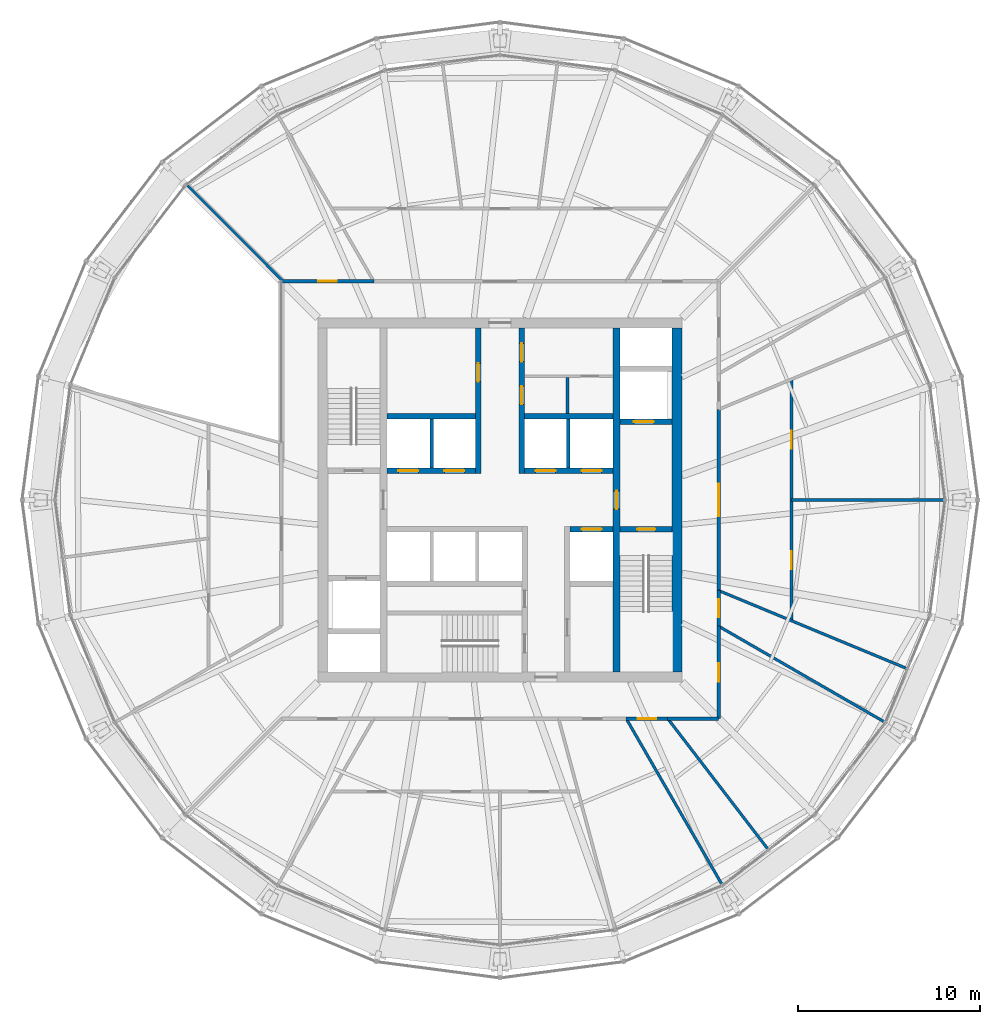
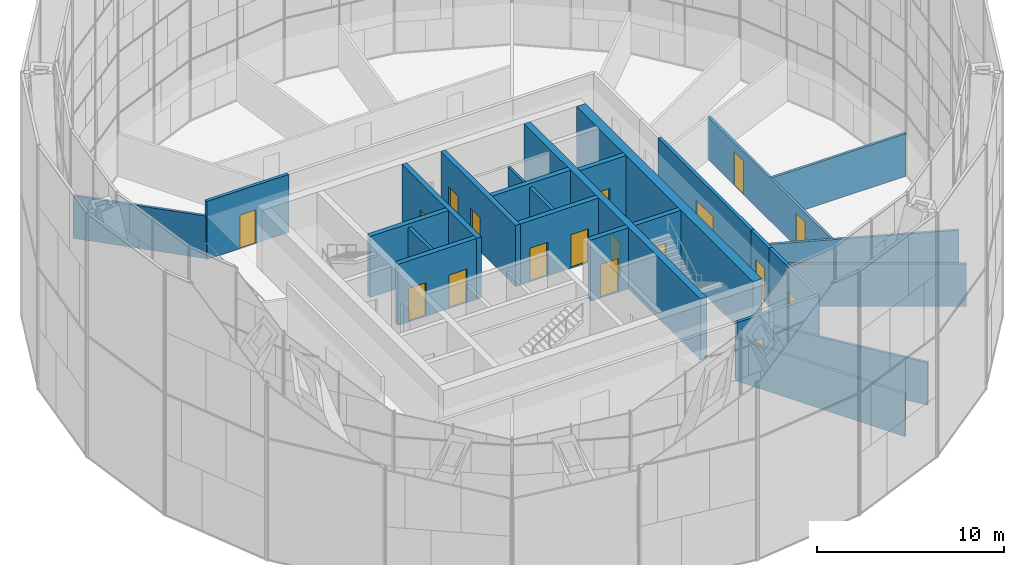
# One storey, part 26 of 28: 27 walls, 18 doors, 18 openings.
"""IFC4 building model written with IfcOpenShell, lengths in metres."""

from ifc_helpers import new_model, si_unit, direction, frame, frame_2d, origin, place, context, subcontext, project, spatial, rectangle, extrude, material, layer, layer_set, type_object, element, fill, save


model = new_model("IFC4")

# Units and contexts
model_context = context("Model", 3, precision=1e-05, world=origin(), true_north=direction((0.0, 1.0)))
body_context = subcontext(model_context, "Body", "Model", "MODEL_VIEW")
ifc_project = project(units=[si_unit("LENGTHUNIT", "METRE"), si_unit("AREAUNIT", "SQUARE_METRE"), si_unit("VOLUMEUNIT", "CUBIC_METRE"), si_unit("PLANEANGLEUNIT", "RADIAN"), si_unit("MASSUNIT", "GRAM", prefix="KILO")], contexts=[model_context])

# Site, building, storey
site_placement = place(None, origin())
site = spatial("IfcSite", under=ifc_project, at=site_placement, CompositionType="ELEMENT")
building_placement = place(site_placement, origin())
building = spatial("IfcBuilding", under=site, at=building_placement, Name="Golbaran Civic Tower", CompositionType="ELEMENT")
storey_placement = place(building_placement, frame((0.0, 0.0, 134.0)))
storey = spatial("IfcBuildingStorey", under=building, at=storey_placement, Name="L32", CompositionType="ELEMENT", Elevation=134.0)

# Wall
ifc_material_1 = material(Name="Concrete block", Category="concrete")
ifc_layer_1 = layer(ifc_material_1, 0.14990234375, Name="Concrete block")
ifc_layer_set_1 = layer_set([ifc_layer_1], Name="Concrete block")
wall_type_1 = type_object("IfcWallType", Name="BLOCKWORK PARTITION 150", PredefinedType="PARTITIONING", material=ifc_layer_set_1)
wall_1_placement = place(storey_placement, frame((3.699951171875, 4.75, 0.0), z_axis=(0.0, 0.0, 1.0), x_axis=(0.0, 1.0, 0.0)))
element("IfcWall", 1, at=wall_1_placement, inside=storey, type_object=wall_type_1, Name="Toilet block partition TN2 L32", PredefinedType="PARTITIONING", context=body_context, shape_type="SweptSolid", body=[
    extrude(rectangle(XDim=1.97509765625, YDim=0.14990234375, at=frame_2d((0.987548828125, 0.0))), origin(), (0.0, 0.0, 1.0), 3.75),
])

# Wall, opening, door
ifc_material_2 = material(Name="Concrete C50/60", Category="concrete")
ifc_layer_2 = layer(ifc_material_2, 0.39990234375, Name="Concrete C50/60")
ifc_layer_set_2 = layer_set([ifc_layer_2], Name="Concrete C50/60")
wall_type_2 = type_object("IfcWallType", Name="CORE WALL CONCRETE 400", PredefinedType="SOLIDWALL", material=ifc_layer_set_2)
wall_2_placement = place(storey_placement, frame((6.39990234375, 9.449951171875, 0.0), z_axis=(0.0, 0.0, 1.0), x_axis=(0.0, -1.0, 0.0)))
wall_2 = element("IfcWall", 2, at=wall_2_placement, inside=storey, type_object=wall_type_2, Name="Core wall IE L32", PredefinedType="SOLIDWALL", context=body_context, shape_type="SweptSolid", body=[
    extrude(rectangle(XDim=18.89990234375, YDim=0.39990234375, at=frame_2d((9.449951171875, 0.0))), origin(), (0.0, 0.0, 1.0), 4.0),
])
opening_1_placement = place(wall_2_placement, frame((8.949951171875, 0.0, 0.0)))
opening_1 = element("IfcOpeningElement", 3, at=opening_1_placement, cuts=wall_2, Name="Opening L32.FL2", PredefinedType="OPENING", context=body_context, shape_type="SweptSolid", body=[
    extrude(rectangle(XDim=1.0, YDim=2.199951171875, at=frame_2d((0.5, 1.10009765625))), frame((0.0, 0.2099609375, 0.0), z_axis=(0.0, -1.0, 0.0), x_axis=(1.0, 0.0, 0.0)), (0.0, 0.0, 1.0), 0.419921875),
])
ifc_material_3 = material(Name="Timber door set in steel frame", Category="steel")
door_type_1 = type_object("IfcDoorType", Name="STAIR DOOR 1000x2200", OperationType="SINGLE_SWING_LEFT", PredefinedType="DOOR", material=ifc_material_3)
door_1_placement = place(opening_1_placement, origin())
door_1 = element("IfcDoor", 4, at=door_1_placement, inside=storey, type_object=door_type_1, Name="Fire-fighting lobby FL2 door", OperationType="SINGLE_SWING_RIGHT", OverallHeight=2.199951171875, OverallWidth=1.0, PredefinedType="DOOR", context=body_context, shape_type="SweptSolid", body=[
    extrude(rectangle(XDim=1.0, YDim=2.199951171875, at=frame_2d((0.5, 1.10009765625))), frame((0.0, 0.02490234375, 0.0), z_axis=(0.0, -1.0, 0.0), x_axis=(1.0, 0.0, 0.0)), (0.0, 0.0, 1.0), 0.050048828125),
])
fill(opening_1, door_1)

# Wall
ifc_layer_3 = layer(ifc_material_2, 0.550048828125, Name="Concrete C50/60")
ifc_layer_set_3 = layer_set([ifc_layer_3], Name="Concrete C50/60")
wall_type_3 = type_object("IfcWallType", Name="CORE WALL CONCRETE 550", PredefinedType="SOLIDWALL", material=ifc_layer_set_3)
wall_3_placement = place(storey_placement, frame((9.72509765625, -9.449951171875, 0.0), z_axis=(0.0, 0.0, 1.0), x_axis=(0.0, 1.0, 0.0)))
element("IfcWall", 5, at=wall_3_placement, inside=storey, type_object=wall_type_3, Name="Core wall CE L32", PredefinedType="SOLIDWALL", context=body_context, shape_type="SweptSolid", body=[
    extrude(rectangle(XDim=18.89990234375, YDim=0.550048828125, at=frame_2d((9.449951171875, 0.0))), origin(), (0.0, 0.0, 1.0), 4.0),
])

# Wall, opening, door
ifc_material_4 = material(Name="Gypsum board on steel studs, fire-rated", Category="steel")
ifc_layer_4 = layer(ifc_material_4, 0.199951171875, Name="Gypsum board on steel studs, fire-rated")
ifc_layer_set_4 = layer_set([ifc_layer_4], Name="Gypsum board on steel studs, fire-rated")
wall_type_4 = type_object("IfcWallType", Name="CORRIDOR WALL 200", PredefinedType="PARTITIONING", material=ifc_layer_set_4)
wall_4_placement = place(storey_placement, frame((12.0, -6.92822265625, 0.0), z_axis=(0.0, 0.0, 1.0), x_axis=(0.0, 1.0, 0.0)))
wall_4 = element("IfcWall", 6, at=wall_4_placement, inside=storey, type_object=wall_type_4, Name="Corridor wall L32", PredefinedType="PARTITIONING", context=body_context, shape_type="SweptSolid", body=[
    extrude(rectangle(XDim=1.957763671875, YDim=0.199951171875, at=frame_2d((0.97900390625, 0.0))), origin(), (0.0, 0.0, 1.0), 3.800048828125),
])
opening_2_placement = place(wall_4_placement, frame((0.478759765625, 0.0, 0.0)))
opening_2 = element("IfcOpeningElement", 7, at=opening_2_placement, cuts=wall_4, Name="Opening L32.11", PredefinedType="OPENING", context=body_context, shape_type="SweptSolid", body=[
    extrude(rectangle(XDim=1.0, YDim=2.199951171875, at=frame_2d((0.5, 1.10009765625))), frame((0.0, 0.10986328125, 0.0), z_axis=(0.0, -1.0, 0.0), x_axis=(1.0, 0.0, 0.0)), (0.0, 0.0, 1.0), 0.219970703125),
])
door_type_2 = type_object("IfcDoorType", Name="OFFICE DOOR 1000x2200", OperationType="SINGLE_SWING_LEFT", PredefinedType="DOOR", material=ifc_material_3)
door_2_placement = place(opening_2_placement, origin())
door_2 = element("IfcDoor", 8, at=door_2_placement, inside=storey, type_object=door_type_2, Name="Meeting Room door L32", OperationType="SINGLE_SWING_LEFT", OverallHeight=2.199951171875, OverallWidth=1.0, PredefinedType="DOOR", context=body_context, shape_type="SweptSolid", body=[
    extrude(rectangle(XDim=1.0, YDim=2.199951171875, at=frame_2d((0.5, 1.10009765625))), frame((0.0, 0.02490234375, 0.0), z_axis=(0.0, -1.0, 0.0), x_axis=(1.0, 0.0, 0.0)), (0.0, 0.0, 1.0), 0.050048828125),
])
fill(opening_2, door_2)

wall_5_placement = place(storey_placement, frame((12.0, -4.970458984375, 0.0), z_axis=(0.0, 0.0, 1.0), x_axis=(0.0, 1.0, 0.0)))
wall_5 = element("IfcWall", 9, at=wall_5_placement, inside=storey, type_object=wall_type_4, Name="Corridor wall L32", PredefinedType="PARTITIONING", context=body_context, shape_type="SweptSolid", body=[
    extrude(rectangle(XDim=9.94091796875, YDim=0.199951171875, at=frame_2d((4.970458984375, 0.0))), origin(), (0.0, 0.0, 1.0), 3.800048828125),
])
opening_3_placement = place(wall_5_placement, frame((4.070556640625, 0.0, 0.0)))
opening_3 = element("IfcOpeningElement", 10, at=opening_3_placement, cuts=wall_5, Name="Opening L32.12", PredefinedType="OPENING", context=body_context, shape_type="SweptSolid", body=[
    extrude(rectangle(XDim=1.800048828125, YDim=2.199951171875, at=frame_2d((0.89990234375, 1.10009765625))), frame((0.0, 0.10986328125, 0.0), z_axis=(0.0, -1.0, 0.0), x_axis=(1.0, 0.0, 0.0)), (0.0, 0.0, 1.0), 0.219970703125),
])
door_type_3 = type_object("IfcDoorType", Name="OFFICE DOUBLE DOOR 1800x2200", OperationType="DOUBLE_DOOR_SINGLE_SWING", PredefinedType="DOOR", material=ifc_material_3)
door_3_placement = place(opening_3_placement, origin())
door_3 = element("IfcDoor", 11, at=door_3_placement, inside=storey, type_object=door_type_3, Name="Secretariat door L32", OperationType="DOUBLE_DOOR_SINGLE_SWING", OverallHeight=2.199951171875, OverallWidth=1.800048828125, PredefinedType="DOOR", context=body_context, shape_type="SweptSolid", body=[
    extrude(rectangle(XDim=1.800048828125, YDim=2.199951171875, at=frame_2d((0.89990234375, 1.10009765625))), frame((0.0, 0.02490234375, 0.0), z_axis=(0.0, -1.0, 0.0), x_axis=(1.0, 0.0, 0.0)), (0.0, 0.0, 1.0), 0.050048828125),
])
fill(opening_3, door_3)

wall_6_placement = place(storey_placement, frame((-6.92822265625, 12.0, 0.0), z_axis=(0.0, 0.0, 1.0), x_axis=(-1.0, 0.0, 0.0)))
wall_6 = element("IfcWall", 12, at=wall_6_placement, inside=storey, type_object=wall_type_4, Name="Corridor wall L32", PredefinedType="PARTITIONING", context=body_context, shape_type="SweptSolid", body=[
    extrude(rectangle(XDim=5.07177734375, YDim=0.199951171875, at=frame_2d((2.535888671875, 0.0))), origin(), (0.0, 0.0, 1.0), 3.800048828125),
])
opening_4_placement = place(wall_6_placement, frame((2.035888671875, 0.0, 0.0)))
opening_4 = element("IfcOpeningElement", 13, at=opening_4_placement, cuts=wall_6, Name="Opening L32.17", PredefinedType="OPENING", context=body_context, shape_type="SweptSolid", body=[
    extrude(rectangle(XDim=1.0, YDim=2.199951171875, at=frame_2d((0.5, 1.10009765625))), frame((0.0, 0.10986328125, 0.0), z_axis=(0.0, -1.0, 0.0), x_axis=(1.0, 0.0, 0.0)), (0.0, 0.0, 1.0), 0.219970703125),
])
door_4_placement = place(opening_4_placement, origin())
door_4 = element("IfcDoor", 14, at=door_4_placement, inside=storey, type_object=door_type_2, Name="Quiet Room door L32", OperationType="SINGLE_SWING_RIGHT", OverallHeight=2.199951171875, OverallWidth=1.0, PredefinedType="DOOR", context=body_context, shape_type="SweptSolid", body=[
    extrude(rectangle(XDim=1.0, YDim=2.199951171875, at=frame_2d((0.5, 1.10009765625))), frame((0.0, 0.02490234375, 0.0), z_axis=(0.0, -1.0, 0.0), x_axis=(1.0, 0.0, 0.0)), (0.0, 0.0, 1.0), 0.050048828125),
])
fill(opening_4, door_4)

wall_7_placement = place(storey_placement, frame((6.92822265625, -12.0, 0.0), z_axis=(0.0, 0.0, 1.0), x_axis=(1.0, 0.0, 0.0)))
wall_7 = element("IfcWall", 15, at=wall_7_placement, inside=storey, type_object=wall_type_4, Name="Corridor wall L32", PredefinedType="PARTITIONING", context=body_context, shape_type="SweptSolid", body=[
    extrude(rectangle(XDim=2.27978515625, YDim=0.199951171875, at=frame_2d((1.139892578125, 0.0))), origin(), (0.0, 0.0, 1.0), 3.800048828125),
])
opening_5_placement = place(wall_7_placement, frame((0.639892578125, 0.0, 0.0)))
opening_5 = element("IfcOpeningElement", 16, at=opening_5_placement, cuts=wall_7, Name="Opening L32.22", PredefinedType="OPENING", context=body_context, shape_type="SweptSolid", body=[
    extrude(rectangle(XDim=1.0, YDim=2.199951171875, at=frame_2d((0.5, 1.10009765625))), frame((0.0, 0.10986328125, 0.0), z_axis=(0.0, -1.0, 0.0), x_axis=(1.0, 0.0, 0.0)), (0.0, 0.0, 1.0), 0.219970703125),
])
door_5_placement = place(opening_5_placement, origin())
door_5 = element("IfcDoor", 17, at=door_5_placement, inside=storey, type_object=door_type_2, Name="Pantry door L32", OperationType="SINGLE_SWING_LEFT", OverallHeight=2.199951171875, OverallWidth=1.0, PredefinedType="DOOR", context=body_context, shape_type="SweptSolid", body=[
    extrude(rectangle(XDim=1.0, YDim=2.199951171875, at=frame_2d((0.5, 1.10009765625))), frame((0.0, 0.02490234375, 0.0), z_axis=(0.0, -1.0, 0.0), x_axis=(1.0, 0.0, 0.0)), (0.0, 0.0, 1.0), 0.050048828125),
])
fill(opening_5, door_5)

# Wall
wall_8_placement = place(storey_placement, frame((9.2080078125, -12.0, 0.0), z_axis=(0.0, 0.0, 1.0), x_axis=(1.0, 0.0, 0.0)))
element("IfcWall", 18, at=wall_8_placement, inside=storey, type_object=wall_type_4, Name="Corridor wall L32", PredefinedType="PARTITIONING", context=body_context, shape_type="SweptSolid", body=[
    extrude(rectangle(XDim=2.7919921875, YDim=0.199951171875, at=frame_2d((1.39599609375, 0.0))), origin(), (0.0, 0.0, 1.0), 3.800048828125),
])

# Wall, opening, door
wall_9_placement = place(storey_placement, frame((12.0, -12.0, 0.0), z_axis=(0.0, 0.0, 1.0), x_axis=(0.0, 1.0, 0.0)))
wall_9 = element("IfcWall", 19, at=wall_9_placement, inside=storey, type_object=wall_type_4, Name="Corridor wall L32", PredefinedType="PARTITIONING", context=body_context, shape_type="SweptSolid", body=[
    extrude(rectangle(XDim=5.07177734375, YDim=0.199951171875, at=frame_2d((2.535888671875, 0.0))), origin(), (0.0, 0.0, 1.0), 3.800048828125),
])
opening_6_placement = place(wall_9_placement, frame((2.035888671875, 0.0, 0.0)))
opening_6 = element("IfcOpeningElement", 20, at=opening_6_placement, cuts=wall_9, Name="Opening L32.23", PredefinedType="OPENING", context=body_context, shape_type="SweptSolid", body=[
    extrude(rectangle(XDim=1.0, YDim=2.199951171875, at=frame_2d((0.5, 1.10009765625))), frame((0.0, 0.10986328125, 0.0), z_axis=(0.0, -1.0, 0.0), x_axis=(1.0, 0.0, 0.0)), (0.0, 0.0, 1.0), 0.219970703125),
])
door_6_placement = place(opening_6_placement, origin())
door_6 = element("IfcDoor", 21, at=door_6_placement, inside=storey, type_object=door_type_2, Name="Prayer Room door L32", OperationType="SINGLE_SWING_LEFT", OverallHeight=2.199951171875, OverallWidth=1.0, PredefinedType="DOOR", context=body_context, shape_type="SweptSolid", body=[
    extrude(rectangle(XDim=1.0, YDim=2.199951171875, at=frame_2d((0.5, 1.10009765625))), frame((0.0, 0.02490234375, 0.0), z_axis=(0.0, -1.0, 0.0), x_axis=(1.0, 0.0, 0.0)), (0.0, 0.0, 1.0), 0.050048828125),
])
fill(opening_6, door_6)

# Walls
ifc_layer_5 = layer(ifc_material_1, 0.199951171875, Name="Concrete block")
ifc_layer_set_5 = layer_set([ifc_layer_5], Name="Concrete block")
wall_type_5 = type_object("IfcWallType", Name="LIFT SEPARATOR WALL 200", PredefinedType="SOLIDWALL", material=ifc_layer_set_5)
for number, where, z_axis, x_axis, name in (
    (22, (-3.75, 1.75, 0.0), (0.0, 0.0, 1.0), (0.0, 1.0, 0.0), "Core partition SNW L32"),
    (23, (3.75, 1.75, 0.0), (0.0, 0.0, 1.0), (0.0, 1.0, 0.0), "Core partition SNE L32"),
):
    element("IfcWall", number, at=place(storey_placement, frame(where, z_axis=z_axis, x_axis=x_axis)), inside=storey, type_object=wall_type_5, Name=name, PredefinedType="SOLIDWALL", context=body_context, shape_type="SweptSolid", body=[
        extrude(rectangle(XDim=2.699951171875, YDim=0.199951171875, at=frame_2d((1.35009765625, 0.0))), origin(), (0.0, 0.0, 1.0), 3.75),
    ])
ifc_material_5 = material(Name="Gypsum board on steel studs", Category="steel")
ifc_layer_6 = layer(ifc_material_5, 0.14990234375, Name="Gypsum board on steel studs")
ifc_layer_set_6 = layer_set([ifc_layer_6], Name="Gypsum board on steel studs")
wall_type_6 = type_object("IfcWallType", Name="OFFICE PARTITION 150", PredefinedType="PARTITIONING", material=ifc_layer_set_6)
wall_10_placement = place(storey_placement, frame((12.0, -6.92822265625, 0.0), z_axis=(0.0, 0.0, 1.0), x_axis=(0.866029212144, -0.49999340367, 0.0)))
element("IfcWall", 24, at=wall_10_placement, inside=storey, type_object=wall_type_6, Name="Partition 330 L32", PredefinedType="PARTITIONING", context=body_context, shape_type="SweptSolid", body=[
    extrude(rectangle(XDim=10.477783203125, YDim=0.14990234375, at=frame_2d((5.23876953125, 0.0))), origin(), (0.0, 0.0, 1.0), 2.7900390625),
])
wall_11_placement = place(storey_placement, frame((12.0, -4.970458984375, 0.0), z_axis=(0.0, 0.0, 1.0), x_axis=(0.923875229549, -0.382693820469, 0.0)))
element("IfcWall", 25, at=wall_11_placement, inside=storey, type_object=wall_type_6, Name="Partition 337.5 L32", PredefinedType="PARTITIONING", context=body_context, shape_type="SweptSolid", body=[
    extrude(rectangle(XDim=11.137451171875, YDim=0.14990234375, at=frame_2d((5.56884765625, 0.0))), origin(), (0.0, 0.0, 1.0), 2.7900390625),
])
wall_12_placement = place(storey_placement, frame((-11.947021484375, 12.052978515625, 0.0), z_axis=(0.0, 0.0, 1.0), x_axis=(-0.707090203644, 0.70712335834, 0.0)))
element("IfcWall", 26, at=wall_12_placement, inside=storey, type_object=wall_type_6, Name="Partition 135 L32", PredefinedType="PARTITIONING", context=body_context, shape_type="SweptSolid", body=[
    extrude(rectangle(XDim=7.36376953125, YDim=0.14990234375, at=frame_2d((3.681884765625, 0.0))), origin(), (0.0, 0.0, 1.0), 2.7900390625),
])
wall_13_placement = place(storey_placement, frame((6.92822265625, -12.0, 0.0), z_axis=(0.0, 0.0, 1.0), x_axis=(0.49999340367, -0.866029212144, 0.0)))
element("IfcWall", 27, at=wall_13_placement, inside=storey, type_object=wall_type_6, Name="Partition 300 L32", PredefinedType="PARTITIONING", context=body_context, shape_type="SweptSolid", body=[
    extrude(rectangle(XDim=10.477783203125, YDim=0.14990234375, at=frame_2d((5.23876953125, 0.0))), origin(), (0.0, 0.0, 1.0), 2.7900390625),
])
wall_14_placement = place(storey_placement, frame((9.2080078125, -12.0, 0.0), z_axis=(0.0, 0.0, 1.0), x_axis=(0.608761217002, -0.79335350297, 0.0)))
element("IfcWall", 28, at=wall_14_placement, inside=storey, type_object=wall_type_6, Name="Partition 307.5 L32", PredefinedType="PARTITIONING", context=body_context, shape_type="SweptSolid", body=[
    extrude(rectangle(XDim=9.000244140625, YDim=0.14990234375, at=frame_2d((4.5, 0.0))), origin(), (0.0, 0.0, 1.0), 2.7900390625),
])

# Wall, openings, doors
wall_15_placement = place(storey_placement, frame((16.0, -6.62744140625, 0.0), z_axis=(0.0, 0.0, 1.0), x_axis=(0.0, 1.0, 0.0)))
wall_15 = element("IfcWall", 29, at=wall_15_placement, inside=storey, type_object=wall_type_6, Name="Suite partition L32", PredefinedType="PARTITIONING", context=body_context, shape_type="SweptSolid", body=[
    extrude(rectangle(XDim=13.2548828125, YDim=0.14990234375, at=frame_2d((6.62744140625, 0.0))), origin(), (0.0, 0.0, 1.0), 2.7900390625),
])
opening_7_placement = place(wall_15_placement, frame((2.813720703125, 0.0, 0.0)))
opening_7 = element("IfcOpeningElement", 30, at=opening_7_placement, cuts=wall_15, Name="Opening L32.01", PredefinedType="OPENING", context=body_context, shape_type="SweptSolid", body=[
    extrude(rectangle(XDim=1.0, YDim=2.199951171875, at=frame_2d((0.5, 1.10009765625))), frame((0.0, 0.0849609375, 0.0), z_axis=(0.0, -1.0, 0.0), x_axis=(1.0, 0.0, 0.0)), (0.0, 0.0, 1.0), 0.169921875),
])
opening_8_placement = place(wall_15_placement, frame((9.441162109375, 0.0, 0.0)))
opening_8 = element("IfcOpeningElement", 31, at=opening_8_placement, cuts=wall_15, Name="Opening L32.02", PredefinedType="OPENING", context=body_context, shape_type="SweptSolid", body=[
    extrude(rectangle(XDim=1.0, YDim=2.199951171875, at=frame_2d((0.5, 1.10009765625))), frame((0.0, 0.0849609375, 0.0), z_axis=(0.0, -1.0, 0.0), x_axis=(1.0, 0.0, 0.0)), (0.0, 0.0, 1.0), 0.169921875),
])
door_7_placement = place(opening_7_placement, origin())
door_7 = element("IfcDoor", 32, at=door_7_placement, inside=storey, type_object=door_type_2, Name="Office door L32", OperationType="SINGLE_SWING_LEFT", OverallHeight=2.199951171875, OverallWidth=1.0, PredefinedType="DOOR", context=body_context, shape_type="SweptSolid", body=[
    extrude(rectangle(XDim=1.0, YDim=2.199951171875, at=frame_2d((0.5, 1.10009765625))), frame((0.0, 0.02490234375, 0.0), z_axis=(0.0, -1.0, 0.0), x_axis=(1.0, 0.0, 0.0)), (0.0, 0.0, 1.0), 0.050048828125),
])
fill(opening_7, door_7)
door_8_placement = place(opening_8_placement, origin())
door_8 = element("IfcDoor", 33, at=door_8_placement, inside=storey, type_object=door_type_2, Name="Office door L32", OperationType="SINGLE_SWING_RIGHT", OverallHeight=2.199951171875, OverallWidth=1.0, PredefinedType="DOOR", context=body_context, shape_type="SweptSolid", body=[
    extrude(rectangle(XDim=1.0, YDim=2.199951171875, at=frame_2d((0.5, 1.10009765625))), frame((0.0, 0.02490234375, 0.0), z_axis=(0.0, -1.0, 0.0), x_axis=(1.0, 0.0, 0.0)), (0.0, 0.0, 1.0), 0.050048828125),
])
fill(opening_8, door_8)

# Wall
wall_16_placement = place(storey_placement, frame((16.0, 0.0, 0.0), z_axis=(0.0, 0.0, 1.0), x_axis=(1.0, 0.0, 0.0)))
element("IfcWall", 34, at=wall_16_placement, inside=storey, type_object=wall_type_6, Name="Partition 0 L32", PredefinedType="PARTITIONING", context=body_context, shape_type="SweptSolid", body=[
    extrude(rectangle(XDim=8.334228515625, YDim=0.14990234375, at=frame_2d((4.1669921875, 0.0))), origin(), (0.0, 0.0, 1.0), 2.7900390625),
])

# Wall, openings, doors
ifc_layer_7 = layer(ifc_material_2, 0.300048828125, Name="Concrete C50/60")
ifc_layer_set_7 = layer_set([ifc_layer_7], Name="Concrete C50/60")
wall_type_7 = type_object("IfcWallType", Name="SHAFT WALL CONCRETE 300", PredefinedType="SOLIDWALL", material=ifc_layer_set_7)
wall_17_placement = place(storey_placement, frame((-6.199951171875, 1.60009765625, 0.0), z_axis=(0.0, 0.0, 1.0), x_axis=(1.0, 0.0, 0.0)))
wall_17 = element("IfcWall", 35, at=wall_17_placement, inside=storey, type_object=wall_type_7, Name="Core wall FNW L32", PredefinedType="SOLIDWALL", context=body_context, shape_type="SweptSolid", body=[
    extrude(rectangle(XDim=4.849853515625, YDim=0.300048828125, at=frame_2d((2.4248046875, 0.0))), origin(), (0.0, 0.0, 1.0), 4.0),
])
opening_9_placement = place(wall_17_placement, frame((0.625, 0.0, 0.0)))
opening_9 = element("IfcOpeningElement", 36, at=opening_9_placement, cuts=wall_17, Name="Opening L32.LD-Z1M", PredefinedType="OPENING", context=body_context, shape_type="SweptSolid", body=[
    extrude(rectangle(XDim=1.10009765625, YDim=2.199951171875, at=frame_2d((0.550048828125, 1.10009765625))), frame((0.0, 0.159912109375, 0.0), z_axis=(0.0, -1.0, 0.0), x_axis=(1.0, 0.0, 0.0)), (0.0, 0.0, 1.0), 0.320068359375),
])
opening_10_placement = place(wall_17_placement, frame((3.14990234375, 0.0, 0.0)))
opening_10 = element("IfcOpeningElement", 37, at=opening_10_placement, cuts=wall_17, Name="Opening L32.LD-Z2M", PredefinedType="OPENING", context=body_context, shape_type="SweptSolid", body=[
    extrude(rectangle(XDim=1.10009765625, YDim=2.199951171875, at=frame_2d((0.550048828125, 1.10009765625))), frame((0.0, 0.159912109375, 0.0), z_axis=(0.0, -1.0, 0.0), x_axis=(1.0, 0.0, 0.0)), (0.0, 0.0, 1.0), 0.320068359375),
])
ifc_material_6 = material(Name="Stainless steel", Category="steel")
door_type_4 = type_object("IfcDoorType", Name="LIFT LANDING DOOR 1100x2200", OperationType="SLIDING_TO_LEFT", PredefinedType="DOOR", material=ifc_material_6)
door_9_placement = place(opening_9_placement, origin())
door_9 = element("IfcDoor", 38, at=door_9_placement, inside=storey, type_object=door_type_4, Name="Lift landing door Z1M", OperationType="SLIDING_TO_LEFT", OverallHeight=2.199951171875, OverallWidth=1.10009765625, PredefinedType="DOOR", context=body_context, shape_type="SweptSolid", body=[
    extrude(rectangle(XDim=1.10009765625, YDim=2.199951171875, at=frame_2d((0.550048828125, 1.10009765625))), frame((0.0, 0.02490234375, 0.0), z_axis=(0.0, -1.0, 0.0), x_axis=(1.0, 0.0, 0.0)), (0.0, 0.0, 1.0), 0.050048828125),
])
fill(opening_9, door_9)
door_10_placement = place(opening_10_placement, origin())
door_10 = element("IfcDoor", 39, at=door_10_placement, inside=storey, type_object=door_type_4, Name="Lift landing door Z2M", OperationType="SLIDING_TO_LEFT", OverallHeight=2.199951171875, OverallWidth=1.10009765625, PredefinedType="DOOR", context=body_context, shape_type="SweptSolid", body=[
    extrude(rectangle(XDim=1.10009765625, YDim=2.199951171875, at=frame_2d((0.550048828125, 1.10009765625))), frame((0.0, 0.02490234375, 0.0), z_axis=(0.0, -1.0, 0.0), x_axis=(1.0, 0.0, 0.0)), (0.0, 0.0, 1.0), 0.050048828125),
])
fill(opening_10, door_10)

wall_18_placement = place(storey_placement, frame((1.35009765625, 1.60009765625, 0.0), z_axis=(0.0, 0.0, 1.0), x_axis=(1.0, 0.0, 0.0)))
wall_18 = element("IfcWall", 40, at=wall_18_placement, inside=storey, type_object=wall_type_7, Name="Core wall FNE L32", PredefinedType="SOLIDWALL", context=body_context, shape_type="SweptSolid", body=[
    extrude(rectangle(XDim=4.849853515625, YDim=0.300048828125, at=frame_2d((2.4248046875, 0.0))), origin(), (0.0, 0.0, 1.0), 4.0),
])
opening_11_placement = place(wall_18_placement, frame((0.60009765625, 0.0, 0.0)))
opening_11 = element("IfcOpeningElement", 41, at=opening_11_placement, cuts=wall_18, Name="Opening L32.LD-Z3M", PredefinedType="OPENING", context=body_context, shape_type="SweptSolid", body=[
    extrude(rectangle(XDim=1.10009765625, YDim=2.199951171875, at=frame_2d((0.550048828125, 1.10009765625))), frame((0.0, 0.159912109375, 0.0), z_axis=(0.0, -1.0, 0.0), x_axis=(1.0, 0.0, 0.0)), (0.0, 0.0, 1.0), 0.320068359375),
])
opening_12_placement = place(wall_18_placement, frame((3.125, 0.0, 0.0)))
opening_12 = element("IfcOpeningElement", 42, at=opening_12_placement, cuts=wall_18, Name="Opening L32.LD-Z4M", PredefinedType="OPENING", context=body_context, shape_type="SweptSolid", body=[
    extrude(rectangle(XDim=1.10009765625, YDim=2.199951171875, at=frame_2d((0.550048828125, 1.10009765625))), frame((0.0, 0.159912109375, 0.0), z_axis=(0.0, -1.0, 0.0), x_axis=(1.0, 0.0, 0.0)), (0.0, 0.0, 1.0), 0.320068359375),
])
door_11_placement = place(opening_11_placement, origin())
door_11 = element("IfcDoor", 43, at=door_11_placement, inside=storey, type_object=door_type_4, Name="Lift landing door Z3M", OperationType="SLIDING_TO_LEFT", OverallHeight=2.199951171875, OverallWidth=1.10009765625, PredefinedType="DOOR", context=body_context, shape_type="SweptSolid", body=[
    extrude(rectangle(XDim=1.10009765625, YDim=2.199951171875, at=frame_2d((0.550048828125, 1.10009765625))), frame((0.0, 0.02490234375, 0.0), z_axis=(0.0, -1.0, 0.0), x_axis=(1.0, 0.0, 0.0)), (0.0, 0.0, 1.0), 0.050048828125),
])
fill(opening_11, door_11)
door_12_placement = place(opening_12_placement, origin())
door_12 = element("IfcDoor", 44, at=door_12_placement, inside=storey, type_object=door_type_4, Name="Lift landing door Z4M", OperationType="SLIDING_TO_LEFT", OverallHeight=2.199951171875, OverallWidth=1.10009765625, PredefinedType="DOOR", context=body_context, shape_type="SweptSolid", body=[
    extrude(rectangle(XDim=1.10009765625, YDim=2.199951171875, at=frame_2d((0.550048828125, 1.10009765625))), frame((0.0, 0.02490234375, 0.0), z_axis=(0.0, -1.0, 0.0), x_axis=(1.0, 0.0, 0.0)), (0.0, 0.0, 1.0), 0.050048828125),
])
fill(opening_12, door_12)

# Walls
for number, where, z_axis, x_axis, name in (
    (45, (-6.199951171875, 4.60009765625, 0.0), (0.0, 0.0, 1.0), (1.0, 0.0, 0.0), "Core wall BNW L32"),
    (46, (1.35009765625, 4.60009765625, 0.0), (0.0, 0.0, 1.0), (1.0, 0.0, 0.0), "Core wall BNE L32"),
):
    element("IfcWall", number, at=place(storey_placement, frame(where, z_axis=z_axis, x_axis=x_axis)), inside=storey, type_object=wall_type_7, Name=name, PredefinedType="SOLIDWALL", context=body_context, shape_type="SweptSolid", body=[
        extrude(rectangle(XDim=4.849853515625, YDim=0.300048828125, at=frame_2d((2.4248046875, 0.0))), origin(), (0.0, 0.0, 1.0), 4.0),
    ])

# Wall, opening, door
wall_19_placement = place(storey_placement, frame((-1.199951171875, 1.449951171875, 0.0), z_axis=(0.0, 0.0, 1.0), x_axis=(0.0, 1.0, 0.0)))
wall_19 = element("IfcWall", 47, at=wall_19_placement, inside=storey, type_object=wall_type_7, Name="Core wall PNW L32", PredefinedType="SOLIDWALL", context=body_context, shape_type="SweptSolid", body=[
    extrude(rectangle(XDim=8.0, YDim=0.300048828125, at=frame_2d((4.0, 0.0))), origin(), (0.0, 0.0, 1.0), 4.0),
])
opening_13_placement = place(wall_19_placement, frame((5.050048828125, 0.0, 0.0)))
opening_13 = element("IfcOpeningElement", 48, at=opening_13_placement, cuts=wall_19, Name="Opening L32.WCM", PredefinedType="OPENING", context=body_context, shape_type="SweptSolid", body=[
    extrude(rectangle(XDim=1.0, YDim=2.199951171875, at=frame_2d((0.5, 1.10009765625))), frame((0.0, 0.159912109375, 0.0), z_axis=(0.0, -1.0, 0.0), x_axis=(1.0, 0.0, 0.0)), (0.0, 0.0, 1.0), 0.320068359375),
])
door_type_5 = type_object("IfcDoorType", Name="TOILET DOOR 1000x2200", OperationType="SINGLE_SWING_LEFT", PredefinedType="DOOR", material=ifc_material_3)
door_13_placement = place(opening_13_placement, origin())
door_13 = element("IfcDoor", 49, at=door_13_placement, inside=storey, type_object=door_type_5, Name="North-west toilet block door", OperationType="SINGLE_SWING_RIGHT", OverallHeight=2.199951171875, OverallWidth=1.0, PredefinedType="DOOR", context=body_context, shape_type="SweptSolid", body=[
    extrude(rectangle(XDim=1.0, YDim=2.199951171875, at=frame_2d((0.5, 1.10009765625))), frame((0.0, 0.02490234375, 0.0), z_axis=(0.0, -1.0, 0.0), x_axis=(1.0, 0.0, 0.0)), (0.0, 0.0, 1.0), 0.050048828125),
])
fill(opening_13, door_13)

# Wall, openings, doors
wall_20_placement = place(storey_placement, frame((1.199951171875, 1.449951171875, 0.0), z_axis=(0.0, 0.0, 1.0), x_axis=(0.0, 1.0, 0.0)))
wall_20 = element("IfcWall", 50, at=wall_20_placement, inside=storey, type_object=wall_type_7, Name="Core wall PNE L32", PredefinedType="SOLIDWALL", context=body_context, shape_type="SweptSolid", body=[
    extrude(rectangle(XDim=8.0, YDim=0.300048828125, at=frame_2d((4.0, 0.0))), origin(), (0.0, 0.0, 1.0), 4.0),
])
opening_14_placement = place(wall_20_placement, frame((3.800048828125, 0.0, 0.0)))
opening_14 = element("IfcOpeningElement", 51, at=opening_14_placement, cuts=wall_20, Name="Opening L32.WCA", PredefinedType="OPENING", context=body_context, shape_type="SweptSolid", body=[
    extrude(rectangle(XDim=1.0, YDim=2.199951171875, at=frame_2d((0.5, 1.10009765625))), frame((0.0, 0.159912109375, 0.0), z_axis=(0.0, -1.0, 0.0), x_axis=(1.0, 0.0, 0.0)), (0.0, 0.0, 1.0), 0.320068359375),
])
opening_15_placement = place(wall_20_placement, frame((6.14990234375, 0.0, 0.0)))
opening_15 = element("IfcOpeningElement", 52, at=opening_15_placement, cuts=wall_20, Name="Opening L32.WCF", PredefinedType="OPENING", context=body_context, shape_type="SweptSolid", body=[
    extrude(rectangle(XDim=1.0, YDim=2.199951171875, at=frame_2d((0.5, 1.10009765625))), frame((0.0, 0.159912109375, 0.0), z_axis=(0.0, -1.0, 0.0), x_axis=(1.0, 0.0, 0.0)), (0.0, 0.0, 1.0), 0.320068359375),
])
door_14_placement = place(opening_14_placement, origin())
door_14 = element("IfcDoor", 53, at=door_14_placement, inside=storey, type_object=door_type_5, Name="Accessible WC door", OperationType="SINGLE_SWING_RIGHT", OverallHeight=2.199951171875, OverallWidth=1.0, PredefinedType="DOOR", context=body_context, shape_type="SweptSolid", body=[
    extrude(rectangle(XDim=1.0, YDim=2.199951171875, at=frame_2d((0.5, 1.10009765625))), frame((0.0, 0.02490234375, 0.0), z_axis=(0.0, -1.0, 0.0), x_axis=(1.0, 0.0, 0.0)), (0.0, 0.0, 1.0), 0.050048828125),
])
fill(opening_14, door_14)
door_15_placement = place(opening_15_placement, origin())
door_15 = element("IfcDoor", 54, at=door_15_placement, inside=storey, type_object=door_type_5, Name="North-east toilet block door", OperationType="SINGLE_SWING_RIGHT", OverallHeight=2.199951171875, OverallWidth=1.0, PredefinedType="DOOR", context=body_context, shape_type="SweptSolid", body=[
    extrude(rectangle(XDim=1.0, YDim=2.199951171875, at=frame_2d((0.5, 1.10009765625))), frame((0.0, 0.02490234375, 0.0), z_axis=(0.0, -1.0, 0.0), x_axis=(1.0, 0.0, 0.0)), (0.0, 0.0, 1.0), 0.050048828125),
])
fill(opening_15, door_15)

# Wall, opening, door
wall_21_placement = place(storey_placement, frame((3.85009765625, -1.60009765625, 0.0), z_axis=(0.0, 0.0, 1.0), x_axis=(1.0, 0.0, 0.0)))
wall_21 = element("IfcWall", 55, at=wall_21_placement, inside=storey, type_object=wall_type_7, Name="Core wall FSE L32", PredefinedType="SOLIDWALL", context=body_context, shape_type="SweptSolid", body=[
    extrude(rectangle(XDim=2.349853515625, YDim=0.300048828125, at=frame_2d((1.1748046875, 0.0))), origin(), (0.0, 0.0, 1.0), 4.0),
])
opening_16_placement = place(wall_21_placement, frame((0.625, 0.0, 0.0)))
opening_16 = element("IfcOpeningElement", 56, at=opening_16_placement, cuts=wall_21, Name="Opening L32.LD-V1", PredefinedType="OPENING", context=body_context, shape_type="SweptSolid", body=[
    extrude(rectangle(XDim=1.10009765625, YDim=2.199951171875, at=frame_2d((0.550048828125, 1.10009765625))), frame((0.0, 0.159912109375, 0.0), z_axis=(0.0, -1.0, 0.0), x_axis=(1.0, 0.0, 0.0)), (0.0, 0.0, 1.0), 0.320068359375),
])
door_16_placement = place(opening_16_placement, origin())
door_16 = element("IfcDoor", 57, at=door_16_placement, inside=storey, type_object=door_type_4, Name="Lift landing door V1", OperationType="SLIDING_TO_LEFT", OverallHeight=2.199951171875, OverallWidth=1.10009765625, PredefinedType="DOOR", context=body_context, shape_type="SweptSolid", body=[
    extrude(rectangle(XDim=1.10009765625, YDim=2.199951171875, at=frame_2d((0.550048828125, 1.10009765625))), frame((0.0, 0.02490234375, 0.0), z_axis=(0.0, -1.0, 0.0), x_axis=(1.0, 0.0, 0.0)), (0.0, 0.0, 1.0), 0.050048828125),
])
fill(opening_16, door_16)

wall_22_placement = place(storey_placement, frame((6.60009765625, -1.60009765625, 0.0), z_axis=(0.0, 0.0, 1.0), x_axis=(1.0, 0.0, 0.0)))
wall_22 = element("IfcWall", 58, at=wall_22_placement, inside=storey, type_object=wall_type_7, Name="Core wall XE1 L32", PredefinedType="SOLIDWALL", context=body_context, shape_type="SweptSolid", body=[
    extrude(rectangle(XDim=2.849853515625, YDim=0.300048828125, at=frame_2d((1.4248046875, 0.0))), origin(), (0.0, 0.0, 1.0), 4.0),
])
opening_17_placement = place(wall_22_placement, frame((0.925048828125, 0.0, 0.0)))
opening_17 = element("IfcOpeningElement", 59, at=opening_17_placement, cuts=wall_22, Name="Opening L32.S2", PredefinedType="OPENING", context=body_context, shape_type="SweptSolid", body=[
    extrude(rectangle(XDim=1.0, YDim=2.199951171875, at=frame_2d((0.5, 1.10009765625))), frame((0.0, 0.159912109375, 0.0), z_axis=(0.0, -1.0, 0.0), x_axis=(1.0, 0.0, 0.0)), (0.0, 0.0, 1.0), 0.320068359375),
])
door_17_placement = place(opening_17_placement, origin())
door_17 = element("IfcDoor", 60, at=door_17_placement, inside=storey, type_object=door_type_1, Name="Stair S2 door", OperationType="SINGLE_SWING_LEFT", OverallHeight=2.199951171875, OverallWidth=1.0, PredefinedType="DOOR", context=body_context, shape_type="SweptSolid", body=[
    extrude(rectangle(XDim=1.0, YDim=2.199951171875, at=frame_2d((0.5, 1.10009765625))), frame((0.0, 0.02490234375, 0.0), z_axis=(0.0, -1.0, 0.0), x_axis=(1.0, 0.0, 0.0)), (0.0, 0.0, 1.0), 0.050048828125),
])
fill(opening_17, door_17)

wall_23_placement = place(storey_placement, frame((6.60009765625, 4.300048828125, 0.0), z_axis=(0.0, 0.0, 1.0), x_axis=(1.0, 0.0, 0.0)))
wall_23 = element("IfcWall", 61, at=wall_23_placement, inside=storey, type_object=wall_type_7, Name="Core wall XE2 L32", PredefinedType="SOLIDWALL", context=body_context, shape_type="SweptSolid", body=[
    extrude(rectangle(XDim=2.849853515625, YDim=0.300048828125, at=frame_2d((1.4248046875, 0.0))), origin(), (0.0, 0.0, 1.0), 4.0),
])
opening_18_placement = place(wall_23_placement, frame((0.75, 0.0, 0.0)))
opening_18 = element("IfcOpeningElement", 62, at=opening_18_placement, cuts=wall_23, Name="Opening L32.LD-F2", PredefinedType="OPENING", context=body_context, shape_type="SweptSolid", body=[
    extrude(rectangle(XDim=1.10009765625, YDim=2.199951171875, at=frame_2d((0.550048828125, 1.10009765625))), frame((0.0, 0.159912109375, 0.0), z_axis=(0.0, -1.0, 0.0), x_axis=(1.0, 0.0, 0.0)), (0.0, 0.0, 1.0), 0.320068359375),
])
door_18_placement = place(opening_18_placement, origin())
door_18 = element("IfcDoor", 63, at=door_18_placement, inside=storey, type_object=door_type_4, Name="Lift landing door F2", OperationType="SLIDING_TO_LEFT", OverallHeight=2.199951171875, OverallWidth=1.10009765625, PredefinedType="DOOR", context=body_context, shape_type="SweptSolid", body=[
    extrude(rectangle(XDim=1.10009765625, YDim=2.199951171875, at=frame_2d((0.550048828125, 1.10009765625))), frame((0.0, 0.02490234375, 0.0), z_axis=(0.0, -1.0, 0.0), x_axis=(1.0, 0.0, 0.0)), (0.0, 0.0, 1.0), 0.050048828125),
])
fill(opening_18, door_18)

save(model, "model.ifc")
